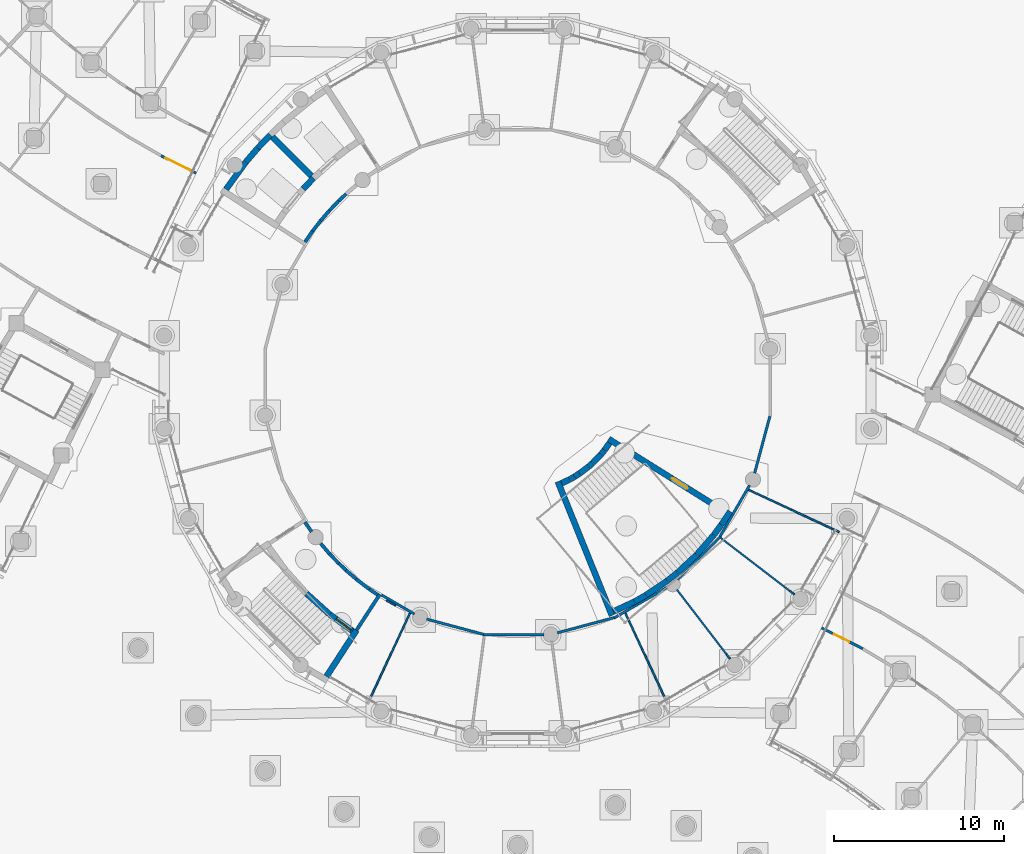
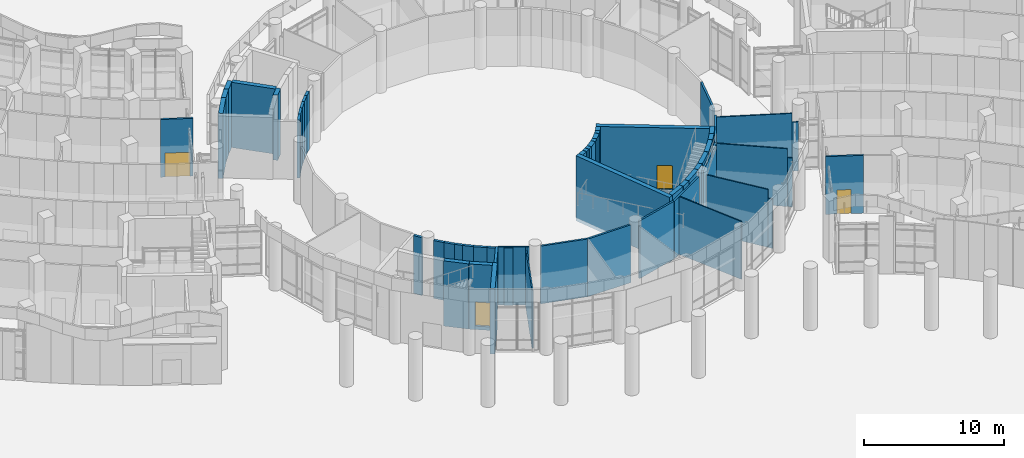
# One storey, part 62 of 146: 58 walls, 4 doors, 4 openings.
"""IFC4 building model written with IfcOpenShell, lengths in metres."""

from ifc_helpers import new_model, si_unit, direction, frame, frame_2d, origin, place, context, subcontext, project, spatial, rectangle, extrude, material, layer, layer_set, type_object, element, fill, save


model = new_model("IFC4")

# Units and contexts
model_context = context("Model", 3, precision=1e-05, world=origin(), true_north=direction((0.0, 1.0)))
body_context = subcontext(model_context, "Body", "Model", "MODEL_VIEW")
ifc_project = project(units=[si_unit("LENGTHUNIT", "METRE"), si_unit("AREAUNIT", "SQUARE_METRE"), si_unit("VOLUMEUNIT", "CUBIC_METRE"), si_unit("PLANEANGLEUNIT", "RADIAN"), si_unit("MASSUNIT", "GRAM", prefix="KILO")], contexts=[model_context])

# Site, building, storey
site_placement = place(None, origin())
site = spatial("IfcSite", under=ifc_project, at=site_placement, CompositionType="ELEMENT")
building_placement = place(site_placement, origin())
building = spatial("IfcBuilding", under=site, at=building_placement, Name="Bougainvillea Quay General Hospital", CompositionType="ELEMENT")
storey_placement = place(building_placement, origin())
storey = spatial("IfcBuildingStorey", under=building, at=storey_placement, Name="L00", CompositionType="ELEMENT", Elevation=0.0)

# Walls
ifc_material_1 = material(Name="Gypsum board partition on steel studs", Category="steel")
ifc_layer_1 = layer(ifc_material_1, 0.10009765625)
ifc_layer_set_1 = layer_set([ifc_layer_1], Name="Gypsum board partition on steel studs")
wall_type_1 = type_object("IfcWallType", Name="Partition 100 Gypsum board partition", PredefinedType="PARTITIONING", material=ifc_layer_set_1)
wall_1_placement = place(storey_placement, frame((121.1650390625, 64.819091796875, 0.0), z_axis=(0.0, 0.0, 1.0), x_axis=(0.79330932609, -0.608818785139, 0.0)))
element("IfcWall", 1, at=wall_1_placement, inside=storey, type_object=wall_type_1, Name="Partition 100 mm", PredefinedType="PARTITIONING", context=body_context, shape_type="SweptSolid", body=[
    extrude(rectangle(XDim=5.121337890625, YDim=0.10009765625, at=frame_2d((2.560546875, 0.0))), origin(), (0.0, 0.0, 1.0), 5.050048828125),
])
wall_2_placement = place(storey_placement, frame((125.227783203125, 61.701171875, 0.0), z_axis=(0.0, 0.0, 1.0), x_axis=(0.793168265706, -0.60900254702, 0.0)))
element("IfcWall", 2, at=wall_2_placement, inside=storey, type_object=wall_type_1, Name="Partition 100 mm", PredefinedType="PARTITIONING", context=body_context, shape_type="SweptSolid", body=[
    extrude(rectangle(XDim=0.349853515625, YDim=0.10009765625, at=frame_2d((0.1748046875, 0.0))), origin(), (0.0, 0.0, 1.0), 4.280029296875),
])
wall_3_placement = place(storey_placement, frame((118.572509765625, 61.78515625, 0.0), z_axis=(0.0, 0.0, 1.0), x_axis=(0.608821758803, -0.793307043967, 0.0)))
element("IfcWall", 3, at=wall_3_placement, inside=storey, type_object=wall_type_1, Name="Partition 100 mm", PredefinedType="PARTITIONING", context=body_context, shape_type="SweptSolid", body=[
    extrude(rectangle(XDim=4.806396484375, YDim=0.10009765625, at=frame_2d((2.4033203125, 0.0))), origin(), (0.0, 0.0, 1.0), 5.050048828125),
])
wall_4_placement = place(storey_placement, frame((121.498779296875, 57.97216796875, 0.0), z_axis=(0.0, 0.0, 1.0), x_axis=(0.60900254702, -0.793168265706, 0.0)))
element("IfcWall", 4, at=wall_4_placement, inside=storey, type_object=wall_type_1, Name="Partition 100 mm", PredefinedType="PARTITIONING", context=body_context, shape_type="SweptSolid", body=[
    extrude(rectangle(XDim=0.349853515625, YDim=0.10009765625, at=frame_2d((0.1748046875, 0.0))), origin(), (0.0, 0.0, 1.0), 4.280029296875),
])
wall_5_placement = place(storey_placement, frame((100.560546875, 55.471923828125, 0.0), z_axis=(0.0, 0.0, 1.0), x_axis=(0.422637165971, 0.906298971609, 0.0)))
element("IfcWall", 5, at=wall_5_placement, inside=storey, type_object=wall_type_1, Name="Partition 100 mm", PredefinedType="PARTITIONING", context=body_context, shape_type="SweptSolid", body=[
    extrude(rectangle(XDim=5.43701171875, YDim=0.10009765625, at=frame_2d((2.718505859375, 0.0))), origin(), (0.0, 0.0, 1.0), 5.050048828125),
])
for number, where, z_axis, x_axis, name in (
    (6, (115.542236328125, 60.398193359375, 0.0), (0.0, 0.0, 1.0), (0.422649401767, -0.906293265553, 0.0), "Partition 100 mm"),
    (7, (122.8017578125, 67.65771484375, 0.0), (0.0, 0.0, 1.0), (0.906310469533, -0.422612509061, 0.0), "Partition 100 mm"),
):
    element("IfcWall", number, at=place(storey_placement, frame(where, z_axis=z_axis, x_axis=x_axis)), inside=storey, type_object=wall_type_1, Name=name, PredefinedType="PARTITIONING", context=body_context, shape_type="SweptSolid", body=[
        extrude(rectangle(XDim=5.435546875, YDim=0.10009765625, at=frame_2d((2.7177734375, 0.0))), origin(), (0.0, 0.0, 1.0), 5.050048828125),
    ])
wall_6_placement = place(storey_placement, frame((127.72802734375, 65.360595703125, 0.0), z_axis=(0.0, 0.0, 1.0), x_axis=(0.906306260127, -0.422621536194, 0.0)))
element("IfcWall", 8, at=wall_6_placement, inside=storey, type_object=wall_type_1, Name="Partition 100 mm", PredefinedType="PARTITIONING", context=body_context, shape_type="SweptSolid", body=[
    extrude(rectangle(XDim=0.455810546875, YDim=0.10009765625, at=frame_2d((0.22802734375, 0.0))), origin(), (0.0, 0.0, 1.0), 4.280029296875),
])
wall_7_placement = place(storey_placement, frame((101.45751953125, 61.151611328125, 0.0), z_axis=(0.0, 0.0, 1.0), x_axis=(0.871137383802, -0.491039365574, 0.0)))
element("IfcWall", 9, at=wall_7_placement, inside=storey, type_object=wall_type_1, Name="Partition 100 mm", PredefinedType="PARTITIONING", context=body_context, shape_type="SweptSolid", body=[
    extrude(rectangle(XDim=0.640380859375, YDim=0.10009765625, at=frame_2d((0.3203125, 0.0))), origin(), (0.0, 0.0, 1.0), 5.050048828125),
])
ifc_material_2 = material(Name="Gypsum board partition on steel studs, insulated", Category="steel")
ifc_layer_2 = layer(ifc_material_2, 0.14990234375)
ifc_layer_set_2 = layer_set([ifc_layer_2], Name="Gypsum board partition on steel studs, insulated")
wall_type_2 = type_object("IfcWallType", Name="Partition 150 Gypsum board partition", PredefinedType="PARTITIONING", material=ifc_layer_set_2)
wall_8_placement = place(storey_placement, frame((101.177001953125, 61.46728515625, 0.0), z_axis=(0.0, 0.0, 1.0), x_axis=(0.864833078622, -0.502059504562, 0.0)))
element("IfcWall", 10, at=wall_8_placement, inside=storey, type_object=wall_type_2, Name="Partition 150 mm", PredefinedType="PARTITIONING", context=body_context, shape_type="SweptSolid", body=[
    extrude(rectangle(XDim=2.2470703125, YDim=0.14990234375, at=frame_2d((1.12353515625, 0.0))), origin(), (0.0, 0.0, 1.0), 5.050048828125),
])
wall_9_placement = place(storey_placement, frame((107.1669921875, 59.1279296875, 0.0), z_axis=(0.0, 0.0, 1.0), x_axis=(1.0, 0.0, 0.0)))
element("IfcWall", 11, at=wall_9_placement, inside=storey, type_object=wall_type_2, Name="Partition 150 mm", PredefinedType="PARTITIONING", context=body_context, shape_type="SweptSolid", body=[
    extrude(rectangle(XDim=3.597900390625, YDim=0.14990234375, at=frame_2d((1.798828125, 0.0))), origin(), (0.0, 0.0, 1.0), 5.050048828125),
])
wall_10_placement = place(storey_placement, frame((118.60888671875, 62.3779296875, 0.0), z_axis=(0.0, 0.0, 1.0), x_axis=(0.707106781187, 0.707106781187, 0.0)))
element("IfcWall", 12, at=wall_10_placement, inside=storey, type_object=wall_type_2, Name="Partition 150 mm", PredefinedType="PARTITIONING", context=body_context, shape_type="SweptSolid", body=[
    extrude(rectangle(XDim=3.59814453125, YDim=0.14990234375, at=frame_2d((1.799072265625, 0.0))), origin(), (0.0, 0.0, 1.0), 5.050048828125),
])
wall_11_placement = place(storey_placement, frame((121.12890625, 64.919189453125, 0.0), z_axis=(0.0, 0.0, 1.0), x_axis=(0.500041631819, 0.866001366308, 0.0)))
element("IfcWall", 13, at=wall_11_placement, inside=storey, type_object=wall_type_2, Name="Partition 150 mm", PredefinedType="PARTITIONING", context=body_context, shape_type="SweptSolid", body=[
    extrude(rectangle(XDim=3.465087890625, YDim=0.14990234375, at=frame_2d((1.732421875, 0.0))), origin(), (0.0, 0.0, 1.0), 5.050048828125),
])
wall_12_placement = place(storey_placement, frame((114.875, 60.1044921875, 0.0), z_axis=(0.0, 0.0, 1.0), x_axis=(0.866000254601, 0.500043557135, 0.0)))
element("IfcWall", 14, at=wall_12_placement, inside=storey, type_object=wall_type_2, Name="Partition 150 mm", PredefinedType="PARTITIONING", context=body_context, shape_type="SweptSolid", body=[
    extrude(rectangle(XDim=3.597900390625, YDim=0.14990234375, at=frame_2d((1.798828125, 0.0))), origin(), (0.0, 0.0, 1.0), 5.050048828125),
])
for number, where, z_axis, x_axis, name in (
    (15, (103.839599609375, 60.040283203125, 0.0), (0.0, 0.0, 1.0), (0.965886698866, -0.258965026507, 0.0), "Partition 150 mm"),
    (16, (111.53759765625, 59.229736328125, 0.0), (0.0, 0.0, 1.0), (0.965886698866, 0.258965026507, 0.0), "Partition 150 mm"),
):
    element("IfcWall", number, at=place(storey_placement, frame(where, z_axis=z_axis, x_axis=x_axis)), inside=storey, type_object=wall_type_2, Name=name, PredefinedType="PARTITIONING", context=body_context, shape_type="SweptSolid", body=[
        extrude(rectangle(XDim=3.464599609375, YDim=0.14990234375, at=frame_2d((1.732421875, 0.0))), origin(), (0.0, 0.0, 1.0), 5.050048828125),
    ])
wall_13_placement = place(storey_placement, frame((123.15966796875, 68.639404296875, 0.0), z_axis=(0.0, 0.0, 1.0), x_axis=(0.258947401773, 0.965891424082, 0.0)))
element("IfcWall", 17, at=wall_13_placement, inside=storey, type_object=wall_type_2, Name="Partition 150 mm", PredefinedType="PARTITIONING", context=body_context, shape_type="SweptSolid", body=[
    extrude(rectangle(XDim=3.46484375, YDim=0.14990234375, at=frame_2d((1.732421875, 0.0))), origin(), (0.0, 0.0, 1.0), 5.050048828125),
])

# Wall, opening, door
ifc_layer_3 = layer(ifc_material_2, 0.14990234375)
ifc_layer_set_3 = layer_set([ifc_layer_3], Name="Gypsum board partition on steel studs, insulated")
wall_type_3 = type_object("IfcWallType", Name="Partition 150 Gypsum board partition EI 30", PredefinedType="PARTITIONING", material=ifc_layer_set_3)
wall_14_placement = place(storey_placement, frame((127.09912109375, 59.527099609375, 0.0), z_axis=(0.0, 0.0, 1.0), x_axis=(0.892287657908, -0.451467313928, 0.0)))
wall_14 = element("IfcWall", 18, at=wall_14_placement, inside=storey, type_object=wall_type_3, Name="Partition 150 mm EI 30", PredefinedType="PARTITIONING", context=body_context, shape_type="SweptSolid", body=[
    extrude(rectangle(XDim=2.728759765625, YDim=0.14990234375, at=frame_2d((1.3642578125, 0.0))), origin(), (0.0, 0.0, 1.0), 5.050048828125),
])
opening_1_placement = place(wall_14_placement, frame((0.826904296875, 0.0, 0.0)))
opening_1 = element("IfcOpeningElement", 19, at=opening_1_placement, cuts=wall_14, Name="Opening L00.277", PredefinedType="OPENING", context=body_context, shape_type="SweptSolid", body=[
    extrude(rectangle(XDim=1.0, YDim=2.10009765625, at=frame_2d((0.5, 1.050048828125))), frame((0.0, 0.0849609375, 0.0), z_axis=(0.0, -1.0, 0.0), x_axis=(1.0, 0.0, 0.0)), (0.0, 0.0, 1.0), 0.169921875),
])
ifc_material_3 = material(Name="Solid-core timber door leaf in steel frame", Category="steel")
door_type_1 = type_object("IfcDoorType", Name="Single leaf door 1000x2100 FD30S", OperationType="NOTDEFINED", PredefinedType="DOOR", material=ifc_material_3)
door_1_placement = place(opening_1_placement, frame((1.0, 0.0, 0.0), z_axis=(0.0, 0.0, 1.0), x_axis=(-1.0, 0.0, 0.0)))
door_1 = element("IfcDoor", 20, at=door_1_placement, inside=storey, type_object=door_type_1, Name="DT15 L00.277", OperationType="SINGLE_SWING_RIGHT", OverallHeight=2.10009765625, OverallWidth=1.0, PredefinedType="DOOR", context=body_context, shape_type="SweptSolid", body=[
    extrude(rectangle(XDim=1.0, YDim=2.10009765625, at=frame_2d((0.5, 1.050048828125))), frame((0.0, 0.02490234375, 0.0), z_axis=(0.0, -1.0, 0.0), x_axis=(1.0, 0.0, 0.0)), (0.0, 0.0, 1.0), 0.050048828125),
])
fill(opening_1, door_1)

wall_15_placement = place(storey_placement, frame((88.200927734375, 87.331298828125, 0.0), z_axis=(0.0, 0.0, 1.0), x_axis=(0.895335597875, -0.445392149883, 0.0)))
wall_15 = element("IfcWall", 21, at=wall_15_placement, inside=storey, type_object=wall_type_3, Name="Partition 150 mm EI 30", PredefinedType="PARTITIONING", context=body_context, shape_type="SweptSolid", body=[
    extrude(rectangle(XDim=2.306640625, YDim=0.14990234375, at=frame_2d((1.1533203125, 0.0))), origin(), (0.0, 0.0, 1.0), 5.050048828125),
])
opening_2_placement = place(wall_15_placement, frame((0.290771484375, 0.0, 0.0)))
opening_2 = element("IfcOpeningElement", 22, at=opening_2_placement, cuts=wall_15, Name="Opening L00.220", PredefinedType="OPENING", context=body_context, shape_type="SweptSolid", body=[
    extrude(rectangle(XDim=1.800048828125, YDim=2.10009765625, at=frame_2d((0.89990234375, 1.050048828125))), frame((0.0, 0.0849609375, 0.0), z_axis=(0.0, -1.0, 0.0), x_axis=(1.0, 0.0, 0.0)), (0.0, 0.0, 1.0), 0.169921875),
])
ifc_material_4 = material(Name="Solid-core timber door leaves in steel frame", Category="steel")
door_type_2 = type_object("IfcDoorType", Name="Double leaf door 1800x2100", OperationType="DOUBLE_DOOR_SINGLE_SWING", PredefinedType="DOOR", material=ifc_material_4)
door_2_placement = place(opening_2_placement, origin())
door_2 = element("IfcDoor", 23, at=door_2_placement, inside=storey, type_object=door_type_2, Name="DT08 L00.220", OperationType="DOUBLE_DOOR_SINGLE_SWING", OverallHeight=2.10009765625, OverallWidth=1.800048828125, PredefinedType="DOOR", context=body_context, shape_type="SweptSolid", body=[
    extrude(rectangle(XDim=1.800048828125, YDim=2.10009765625, at=frame_2d((0.89990234375, 1.050048828125))), frame((0.0, 0.02490234375, 0.0), z_axis=(0.0, -1.0, 0.0), x_axis=(1.0, 0.0, 0.0)), (0.0, 0.0, 1.0), 0.050048828125),
])
fill(opening_2, door_2)

# Walls
ifc_material_5 = material(Name="Fire-rated autoclaved aerated block wall, plastered")
ifc_layer_4 = layer(ifc_material_5, 0.199951171875)
ifc_layer_set_4 = layer_set([ifc_layer_4], Name="Fire-rated autoclaved aerated block wall, plastered")
wall_type_4 = type_object("IfcWallType", Name="Partition 200 Fire-rated autoclaved aerated block wall EI 120", PredefinedType="SOLIDWALL", material=ifc_layer_set_4)
wall_16_placement = place(storey_placement, frame((99.709228515625, 59.3857421875, 0.0), z_axis=(0.0, 0.0, 1.0), x_axis=(0.544553338247, 0.838726213853, 0.0)))
element("IfcWall", 24, at=wall_16_placement, inside=storey, type_object=wall_type_4, Name="Partition 200 mm EI 120", PredefinedType="SOLIDWALL", context=body_context, shape_type="SweptSolid", body=[
    extrude(rectangle(XDim=2.525390625, YDim=0.199951171875, at=frame_2d((1.2626953125, 0.0))), origin(), (0.0, 0.0, 1.0), 5.050048828125),
])
wall_17_placement = place(storey_placement, frame((96.67529296875, 65.749755859375, 0.0), z_axis=(0.0, 0.0, 1.0), x_axis=(0.566513767674, -0.824052274456, 0.0)))
element("IfcWall", 25, at=wall_17_placement, inside=storey, type_object=wall_type_4, Name="Partition 200 mm EI 120", PredefinedType="SOLIDWALL", context=body_context, shape_type="SweptSolid", body=[
    extrude(rectangle(XDim=0.688232421875, YDim=0.199951171875, at=frame_2d((0.34423828125, 0.0))), origin(), (0.0, 0.0, 1.0), 5.050048828125),
])
wall_18_placement = place(storey_placement, frame((96.67529296875, 82.250244140625, 0.0), z_axis=(0.0, 0.0, 1.0), x_axis=(0.566515670131, 0.824050966564, 0.0)))
element("IfcWall", 26, at=wall_18_placement, inside=storey, type_object=wall_type_4, Name="Partition 200 mm EI 120", PredefinedType="SOLIDWALL", context=body_context, shape_type="SweptSolid", body=[
    extrude(rectangle(XDim=0.787841796875, YDim=0.199951171875, at=frame_2d((0.39404296875, 0.0))), origin(), (0.0, 0.0, 1.0), 5.050048828125),
])
wall_19_placement = place(storey_placement, frame((97.122802734375, 82.892333984375, 0.0), z_axis=(0.0, 0.0, 1.0), x_axis=(0.608859474519, 0.793278097699, 0.0)))
element("IfcWall", 27, at=wall_19_placement, inside=storey, type_object=wall_type_4, Name="Partition 200 mm EI 120", PredefinedType="SOLIDWALL", context=body_context, shape_type="SweptSolid", body=[
    extrude(rectangle(XDim=0.790283203125, YDim=0.199951171875, at=frame_2d((0.39501953125, 0.0))), origin(), (0.0, 0.0, 1.0), 5.050048828125),
])
wall_20_placement = place(storey_placement, frame((99.6806640625, 62.40380859375, 0.0), z_axis=(0.0, 0.0, 1.0), x_axis=(0.793470733955, -0.608608408056, 0.0)))
element("IfcWall", 28, at=wall_20_placement, inside=storey, type_object=wall_type_4, Name="Partition 200 mm EI 120", PredefinedType="SOLIDWALL", context=body_context, shape_type="SweptSolid", body=[
    extrude(rectangle(XDim=0.985107421875, YDim=0.199951171875, at=frame_2d((0.49267578125, 0.0))), origin(), (0.0, 0.0, 1.0), 5.050048828125),
])
for number, where, z_axis, x_axis, name in (
    (29, (99.0869140625, 62.91796875, 0.0), (0.0, 0.0, 1.0), (0.760389572583, -0.649467241597, 0.0), "Partition 200 mm EI 120"),
    (30, (97.604736328125, 83.51220703125, 0.0), (0.0, 0.0, 1.0), (0.649467241597, 0.760389572583, 0.0), "Partition 200 mm EI 120"),
    (31, (97.604736328125, 64.48779296875, 0.0), (0.0, 0.0, 1.0), (0.649467241597, -0.760389572583, 0.0), "Partition 200 mm EI 120"),
):
    element("IfcWall", number, at=place(storey_placement, frame(where, z_axis=z_axis, x_axis=x_axis)), inside=storey, type_object=wall_type_4, Name=name, PredefinedType="SOLIDWALL", context=body_context, shape_type="SweptSolid", body=[
        extrude(rectangle(XDim=0.7900390625, YDim=0.199951171875, at=frame_2d((0.39501953125, 0.0))), origin(), (0.0, 0.0, 1.0), 5.050048828125),
    ])
for number, where, z_axis, x_axis, name in (
    (32, (98.118408203125, 63.89404296875, 0.0), (0.0, 0.0, 1.0), (0.687693231893, -0.726001390363, 0.0), "Partition 200 mm EI 120"),
    (33, (98.118408203125, 84.10595703125, 0.0), (0.0, 0.0, 1.0), (0.687693231893, 0.726001390363, 0.0), "Partition 200 mm EI 120"),
):
    element("IfcWall", number, at=place(storey_placement, frame(where, z_axis=z_axis, x_axis=x_axis)), inside=storey, type_object=wall_type_4, Name=name, PredefinedType="SOLIDWALL", context=body_context, shape_type="SweptSolid", body=[
        extrude(rectangle(XDim=0.790283203125, YDim=0.199951171875, at=frame_2d((0.39501953125, 0.0))), origin(), (0.0, 0.0, 1.0), 5.050048828125),
    ])
for number, where, z_axis, x_axis, name in (
    (34, (98.661865234375, 84.672119140625, 0.0), (0.0, 0.0, 1.0), (0.725920352122, 0.687778774298, 0.0), "Partition 200 mm EI 120"),
    (35, (98.661865234375, 63.327880859375, 0.0), (0.0, 0.0, 1.0), (0.725920352122, -0.687778774298, 0.0), "Partition 200 mm EI 120"),
):
    element("IfcWall", number, at=place(storey_placement, frame(where, z_axis=z_axis, x_axis=x_axis)), inside=storey, type_object=wall_type_4, Name=name, PredefinedType="SOLIDWALL", context=body_context, shape_type="SweptSolid", body=[
        extrude(rectangle(XDim=0.59521484375, YDim=0.199951171875, at=frame_2d((0.297607421875, 0.0))), origin(), (0.0, 0.0, 1.0), 5.050048828125),
    ])
wall_21_placement = place(storey_placement, frame((100.461181640625, 61.81103515625, 0.0), z_axis=(0.0, 0.0, 1.0), x_axis=(0.823657215375, -0.567087992785, 0.0)))
element("IfcWall", 36, at=wall_21_placement, inside=storey, type_object=wall_type_4, Name="Partition 200 mm EI 120", PredefinedType="SOLIDWALL", context=body_context, shape_type="SweptSolid", body=[
    extrude(rectangle(XDim=0.5927734375, YDim=0.199951171875, at=frame_2d((0.29638671875, 0.0))), origin(), (0.0, 0.0, 1.0), 5.050048828125),
])
ifc_material_6 = material(Name="Concrete C40", Category="concrete")
ifc_layer_5 = layer(ifc_material_6, 0.35009765625)
ifc_layer_set_5 = layer_set([ifc_layer_5], Name="Concrete C40")
wall_type_5 = type_object("IfcWallType", Name="RC SHEAR WALL 350 C40", PredefinedType="SHEAR", material=ifc_layer_set_5)
wall_22_placement = place(storey_placement, frame((93.18701171875, 86.95849609375, -0.300048828125), z_axis=(0.0, 0.0, 1.0), x_axis=(-0.588083467619, -0.808800244259, 0.0)))
element("IfcWall", 37, at=wall_22_placement, inside=storey, type_object=wall_type_5, Name="Shear wall L00", PredefinedType="SHEAR", context=body_context, shape_type="SweptSolid", body=[
    extrude(rectangle(XDim=1.974365234375, YDim=0.35009765625, at=frame_2d((0.9873046875, 0.0))), origin(), (0.0, 0.0, 1.0), 5.699951171875),
])
wall_23_placement = place(storey_placement, frame((93.1953125, 86.96923828125, -0.300048828125), z_axis=(0.0, 0.0, 1.0), x_axis=(0.649301127712, 0.760531423119, 0.0)))
element("IfcWall", 38, at=wall_23_placement, inside=storey, type_object=wall_type_5, Name="Shear wall L00", PredefinedType="SHEAR", context=body_context, shape_type="SweptSolid", body=[
    extrude(rectangle(XDim=1.066650390625, YDim=0.35009765625, at=frame_2d((0.533203125, 0.0))), origin(), (0.0, 0.0, 1.0), 5.699951171875),
])
wall_24_placement = place(storey_placement, frame((93.894287109375, 87.787353515625, -0.300048828125), z_axis=(0.0, 0.0, 1.0), x_axis=(0.688725463476, 0.725022231356, 0.0)))
element("IfcWall", 39, at=wall_24_placement, inside=storey, type_object=wall_type_5, Name="Shear wall L00", PredefinedType="SHEAR", context=body_context, shape_type="SweptSolid", body=[
    extrude(rectangle(XDim=1.069580078125, YDim=0.35009765625, at=frame_2d((0.53466796875, 0.0))), origin(), (0.0, 0.0, 1.0), 5.699951171875),
])
wall_25_placement = place(storey_placement, frame((94.7578125, 88.442138671875, -0.300048828125), z_axis=(0.0, 0.0, 1.0), x_axis=(0.707106781187, -0.707106781187, 0.0)))
element("IfcWall", 40, at=wall_25_placement, inside=storey, type_object=wall_type_5, Name="Shear wall L00", PredefinedType="SHEAR", context=body_context, shape_type="SweptSolid", body=[
    extrude(rectangle(XDim=3.2490234375, YDim=0.35009765625, at=frame_2d((1.62451171875, 0.0))), origin(), (0.0, 0.0, 1.0), 5.699951171875),
])
wall_26_placement = place(storey_placement, frame((96.57177734375, 85.3798828125, -0.300048828125), z_axis=(0.0, 0.0, 1.0), x_axis=(0.687613208908, 0.726077182491, 0.0)))
element("IfcWall", 41, at=wall_26_placement, inside=storey, type_object=wall_type_5, Name="Shear wall L00", PredefinedType="SHEAR", context=body_context, shape_type="SweptSolid", body=[
    extrude(rectangle(XDim=0.8759765625, YDim=0.35009765625, at=frame_2d((0.43798828125, 0.0))), origin(), (0.0, 0.0, 1.0), 5.699951171875),
])
wall_27_placement = place(storey_placement, frame((97.9404296875, 56.661865234375, -0.300048828125), z_axis=(0.0, 0.0, 1.0), x_axis=(0.544615743299, 0.838685693303, 0.0)))
element("IfcWall", 42, at=wall_27_placement, inside=storey, type_object=wall_type_5, Name="Shear wall L00", PredefinedType="SHEAR", context=body_context, shape_type="SweptSolid", body=[
    extrude(rectangle(XDim=3.247802734375, YDim=0.35009765625, at=frame_2d((1.6240234375, 0.0))), origin(), (0.0, 0.0, 1.0), 5.699951171875),
])
wall_28_placement = place(storey_placement, frame((98.1171875, 60.328125, -0.300048828125), z_axis=(0.0, 0.0, 1.0), x_axis=(-0.743081147279, 0.669201321397, 0.0)))
element("IfcWall", 43, at=wall_28_placement, inside=storey, type_object=wall_type_5, Name="Shear wall L00", PredefinedType="SHEAR", context=body_context, shape_type="SweptSolid", body=[
    extrude(rectangle(XDim=1.82421875, YDim=0.35009765625, at=frame_2d((0.912109375, 0.0))), origin(), (0.0, 0.0, 1.0), 5.699951171875),
])

# Wall, opening, door
wall_29_placement = place(storey_placement, frame((99.472412109375, 59.341796875, -0.300048828125), z_axis=(0.0, 0.0, 1.0), x_axis=(-0.808869786542, 0.587987813155, 0.0)))
wall_29 = element("IfcWall", 44, at=wall_29_placement, inside=storey, type_object=wall_type_5, Name="Shear wall L00", PredefinedType="SHEAR", context=body_context, shape_type="SweptSolid", body=[
    extrude(rectangle(XDim=1.657958984375, YDim=0.35009765625, at=frame_2d((0.8291015625, 0.0))), origin(), (0.0, 0.0, 1.0), 5.699951171875),
])
opening_3_placement = place(wall_29_placement, frame((0.10009765625, 0.0, 0.300048828125)))
opening_3 = element("IfcOpeningElement", 45, at=opening_3_placement, cuts=wall_29, Name="Opening L00.314", PredefinedType="OPENING", context=body_context, shape_type="SweptSolid", body=[
    extrude(rectangle(XDim=1.10009765625, YDim=2.10009765625, at=frame_2d((0.550048828125, 1.050048828125))), frame((0.0, 0.18505859375, 0.0), z_axis=(0.0, -1.0, 0.0), x_axis=(1.0, 0.0, 0.0)), (0.0, 0.0, 1.0), 0.3701171875),
])
ifc_material_7 = material(Name="Steel fire door leaf in steel frame", Category="steel")
door_type_3 = type_object("IfcDoorType", Name="Steel single leaf door 1100x2100 FD60", OperationType="NOTDEFINED", PredefinedType="DOOR", material=ifc_material_7)
door_3_placement = place(opening_3_placement, origin())
door_3 = element("IfcDoor", 46, at=door_3_placement, inside=storey, type_object=door_type_3, Name="DT04 L00.314", OperationType="SINGLE_SWING_LEFT", OverallHeight=2.10009765625, OverallWidth=1.10009765625, PredefinedType="DOOR", context=body_context, shape_type="SweptSolid", body=[
    extrude(rectangle(XDim=1.10009765625, YDim=2.10009765625, at=frame_2d((0.550048828125, 1.050048828125))), frame((0.0, 0.02490234375, 0.0), z_axis=(0.0, -1.0, 0.0), x_axis=(1.0, 0.0, 0.0)), (0.0, 0.0, 1.0), 0.050048828125),
])
fill(opening_3, door_3)

# Walls
wall_30_placement = place(storey_placement, frame((111.5693359375, 68.13525390625, -0.300048828125), z_axis=(0.0, 0.0, 1.0), x_axis=(0.374642087999, -0.927169513034, 0.0)))
element("IfcWall", 47, at=wall_30_placement, inside=storey, type_object=wall_type_5, Name="Shear wall L00", PredefinedType="SHEAR", context=body_context, shape_type="SweptSolid", body=[
    extrude(rectangle(XDim=8.499755859375, YDim=0.35009765625, at=frame_2d((4.25, 0.0))), origin(), (0.0, 0.0, 1.0), 5.699951171875),
])
wall_31_placement = place(storey_placement, frame((112.245849609375, 68.258056640625, -0.300048828125), z_axis=(0.0, 0.0, 1.0), x_axis=(-0.906320542705, -0.422590906043, 0.0)))
element("IfcWall", 48, at=wall_31_placement, inside=storey, type_object=wall_type_5, Name="Shear wall L00", PredefinedType="SHEAR", context=body_context, shape_type="SweptSolid", body=[
    extrude(rectangle(XDim=0.499267578125, YDim=0.35009765625, at=frame_2d((0.24951171875, 0.0))), origin(), (0.0, 0.0, 1.0), 5.699951171875),
])
for number, where, z_axis, x_axis, name in (
    (49, (112.2578125, 68.264404296875, -0.300048828125), (0.0, 0.0, 1.0), (0.871019238286, 0.49124890487, 0.0), "Shear wall L00"),
    (50, (112.552001953125, 68.430419921875, -0.300048828125), (0.0, 0.0, 1.0), (0.84307986044, 0.537788386748, 0.0), "Shear wall L00"),
):
    element("IfcWall", number, at=place(storey_placement, frame(where, z_axis=z_axis, x_axis=x_axis)), inside=storey, type_object=wall_type_5, Name=name, PredefinedType="SHEAR", context=body_context, shape_type="SweptSolid", body=[
        extrude(rectangle(XDim=0.32861328125, YDim=0.35009765625, at=frame_2d((0.164306640625, 0.0))), origin(), (0.0, 0.0, 1.0), 5.699951171875),
    ])
wall_32_placement = place(storey_placement, frame((113.37255859375, 69.01708984375, -0.300048828125), z_axis=(0.0, 0.0, 1.0), x_axis=(-0.7979299439, -0.602750200853, 0.0)))
element("IfcWall", 51, at=wall_32_placement, inside=storey, type_object=wall_type_5, Name="Shear wall L00", PredefinedType="SHEAR", context=body_context, shape_type="SweptSolid", body=[
    extrude(rectangle(XDim=0.666748046875, YDim=0.35009765625, at=frame_2d((0.33349609375, 0.0))), origin(), (0.0, 0.0, 1.0), 5.699951171875),
])
wall_33_placement = place(storey_placement, frame((113.383056640625, 69.025390625, -0.300048828125), z_axis=(0.0, 0.0, 1.0), x_axis=(0.749510325372, 0.661992652649, 0.0)))
element("IfcWall", 52, at=wall_33_placement, inside=storey, type_object=wall_type_5, Name="Shear wall L00", PredefinedType="SHEAR", context=body_context, shape_type="SweptSolid", body=[
    extrude(rectangle(XDim=0.326416015625, YDim=0.35009765625, at=frame_2d((0.1630859375, 0.0))), origin(), (0.0, 0.0, 1.0), 5.699951171875),
])
wall_34_placement = place(storey_placement, frame((114.101318359375, 69.73095703125, -0.300048828125), z_axis=(0.0, 0.0, 1.0), x_axis=(-0.694555328872, -0.719439292182, 0.0)))
element("IfcWall", 53, at=wall_34_placement, inside=storey, type_object=wall_type_5, Name="Shear wall L00", PredefinedType="SHEAR", context=body_context, shape_type="SweptSolid", body=[
    extrude(rectangle(XDim=0.667236328125, YDim=0.35009765625, at=frame_2d((0.33349609375, 0.0))), origin(), (0.0, 0.0, 1.0), 5.699951171875),
])
wall_35_placement = place(storey_placement, frame((114.1103515625, 69.7412109375, -0.300048828125), z_axis=(0.0, 0.0, 1.0), x_axis=(0.636048566806, 0.771649026867, 0.0)))
element("IfcWall", 54, at=wall_35_placement, inside=storey, type_object=wall_type_5, Name="Shear wall L00", PredefinedType="SHEAR", context=body_context, shape_type="SweptSolid", body=[
    extrude(rectangle(XDim=0.325927734375, YDim=0.35009765625, at=frame_2d((0.1630859375, 0.0))), origin(), (0.0, 0.0, 1.0), 5.699951171875),
])

# Wall, opening, door
wall_36_placement = place(storey_placement, frame((114.5634765625, 70.648681640625, -0.300048828125), z_axis=(0.0, 0.0, 1.0), x_axis=(0.848065610157, -0.529891234942, 0.0)))
wall_36 = element("IfcWall", 55, at=wall_36_placement, inside=storey, type_object=wall_type_5, Name="Shear wall L00", PredefinedType="SHEAR", context=body_context, shape_type="SweptSolid", body=[
    extrude(rectangle(XDim=8.150390625, YDim=0.35009765625, at=frame_2d((4.0751953125, 0.0))), origin(), (0.0, 0.0, 1.0), 5.699951171875),
])
opening_4_placement = place(wall_36_placement, frame((4.38720703125, 0.0, 0.300048828125)))
opening_4 = element("IfcOpeningElement", 56, at=opening_4_placement, cuts=wall_36, Name="Opening L00.316", PredefinedType="OPENING", context=body_context, shape_type="SweptSolid", body=[
    extrude(rectangle(XDim=1.10009765625, YDim=2.10009765625, at=frame_2d((0.550048828125, 1.050048828125))), frame((0.0, 0.18505859375, 0.0), z_axis=(0.0, -1.0, 0.0), x_axis=(1.0, 0.0, 0.0)), (0.0, 0.0, 1.0), 0.3701171875),
])
door_4_placement = place(opening_4_placement, origin())
door_4 = element("IfcDoor", 57, at=door_4_placement, inside=storey, type_object=door_type_3, Name="DT04 L00.316", OperationType="SINGLE_SWING_RIGHT", OverallHeight=2.10009765625, OverallWidth=1.10009765625, PredefinedType="DOOR", context=body_context, shape_type="SweptSolid", body=[
    extrude(rectangle(XDim=1.10009765625, YDim=2.10009765625, at=frame_2d((0.550048828125, 1.050048828125))), frame((0.0, 0.02490234375, 0.0), z_axis=(0.0, -1.0, 0.0), x_axis=(1.0, 0.0, 0.0)), (0.0, 0.0, 1.0), 0.050048828125),
])
fill(opening_4, door_4)

# Walls
wall_37_placement = place(storey_placement, frame((114.61181640625, 70.41259765625, -0.300048828125), z_axis=(0.0, 0.0, 1.0), x_axis=(-0.572969657361, -0.819576580768, 0.0)))
element("IfcWall", 58, at=wall_37_placement, inside=storey, type_object=wall_type_5, Name="Shear wall L00", PredefinedType="SHEAR", context=body_context, shape_type="SweptSolid", body=[
    extrude(rectangle(XDim=0.4990234375, YDim=0.35009765625, at=frame_2d((0.24951171875, 0.0))), origin(), (0.0, 0.0, 1.0), 5.699951171875),
])
wall_38_placement = place(storey_placement, frame((114.8466796875, 60.490966796875, -0.300048828125), z_axis=(0.0, 0.0, 1.0), x_axis=(0.906372243269, 0.422480007375, 0.0)))
element("IfcWall", 59, at=wall_38_placement, inside=storey, type_object=wall_type_5, Name="Shear wall L00", PredefinedType="SHEAR", context=body_context, shape_type="SweptSolid", body=[
    extrude(rectangle(XDim=1.3515625, YDim=0.35009765625, at=frame_2d((0.67578125, 0.0))), origin(), (0.0, 0.0, 1.0), 5.699951171875),
])
wall_39_placement = place(storey_placement, frame((116.083984375, 61.068359375, -0.300048828125), z_axis=(0.0, 0.0, 1.0), x_axis=(0.870629311114, 0.491939633115, 0.0)))
element("IfcWall", 60, at=wall_39_placement, inside=storey, type_object=wall_type_5, Name="Shear wall L00", PredefinedType="SHEAR", context=body_context, shape_type="SweptSolid", body=[
    extrude(rectangle(XDim=0.75244140625, YDim=0.35009765625, at=frame_2d((0.376220703125, 0.0))), origin(), (0.0, 0.0, 1.0), 5.699951171875),
])
wall_40_placement = place(storey_placement, frame((116.750732421875, 61.44580078125, -0.300048828125), z_axis=(0.0, 0.0, 1.0), x_axis=(0.828999419692, 0.559249463255, 0.0)))
element("IfcWall", 61, at=wall_40_placement, inside=storey, type_object=wall_type_5, Name="Shear wall L00", PredefinedType="SHEAR", context=body_context, shape_type="SweptSolid", body=[
    extrude(rectangle(XDim=1.5205078125, YDim=0.35009765625, at=frame_2d((0.76025390625, 0.0))), origin(), (0.0, 0.0, 1.0), 5.699951171875),
])
wall_41_placement = place(storey_placement, frame((118.0224609375, 62.30419921875, -0.300048828125), z_axis=(0.0, 0.0, 1.0), x_axis=(0.78266928619, 0.622437778781, 0.0)))
element("IfcWall", 62, at=wall_41_placement, inside=storey, type_object=wall_type_5, Name="Shear wall L00", PredefinedType="SHEAR", context=body_context, shape_type="SweptSolid", body=[
    extrude(rectangle(XDim=0.752685546875, YDim=0.35009765625, at=frame_2d((0.37646484375, 0.0))), origin(), (0.0, 0.0, 1.0), 5.699951171875),
])
wall_42_placement = place(storey_placement, frame((118.6220703125, 62.78173828125, -0.300048828125), z_axis=(0.0, 0.0, 1.0), x_axis=(0.731146243932, 0.682220763378, 0.0)))
element("IfcWall", 63, at=wall_42_placement, inside=storey, type_object=wall_type_5, Name="Shear wall L00", PredefinedType="SHEAR", context=body_context, shape_type="SweptSolid", body=[
    extrude(rectangle(XDim=1.51708984375, YDim=0.35009765625, at=frame_2d((0.758544921875, 0.0))), origin(), (0.0, 0.0, 1.0), 5.699951171875),
])
wall_43_placement = place(storey_placement, frame((119.743896484375, 63.829833984375, -0.300048828125), z_axis=(0.0, 0.0, 1.0), x_axis=(0.655836227658, 0.754903200742, 0.0)))
element("IfcWall", 64, at=wall_43_placement, inside=storey, type_object=wall_type_5, Name="Shear wall L00", PredefinedType="SHEAR", context=body_context, shape_type="SweptSolid", body=[
    extrude(rectangle(XDim=1.51806640625, YDim=0.35009765625, at=frame_2d((0.759033203125, 0.0))), origin(), (0.0, 0.0, 1.0), 5.699951171875),
])
wall_44_placement = place(storey_placement, frame((120.748046875, 64.986328125, -0.300048828125), z_axis=(0.0, 0.0, 1.0), x_axis=(0.595752815961, 0.803167841908, 0.0)))
element("IfcWall", 65, at=wall_44_placement, inside=storey, type_object=wall_type_5, Name="Shear wall L00", PredefinedType="SHEAR", context=body_context, shape_type="SweptSolid", body=[
    extrude(rectangle(XDim=0.755615234375, YDim=0.35009765625, at=frame_2d((0.3779296875, 0.0))), origin(), (0.0, 0.0, 1.0), 5.699951171875),
])
wall_45_placement = place(storey_placement, frame((121.20361328125, 65.60107421875, -0.300048828125), z_axis=(0.0, 0.0, 1.0), x_axis=(0.551390002526, 0.8342476042, 0.0)))
element("IfcWall", 66, at=wall_45_placement, inside=storey, type_object=wall_type_5, Name="Shear wall L00", PredefinedType="SHEAR", context=body_context, shape_type="SweptSolid", body=[
    extrude(rectangle(XDim=0.937255859375, YDim=0.35009765625, at=frame_2d((0.46875, 0.0))), origin(), (0.0, 0.0, 1.0), 5.699951171875),
])

save(model, "model.ifc")
